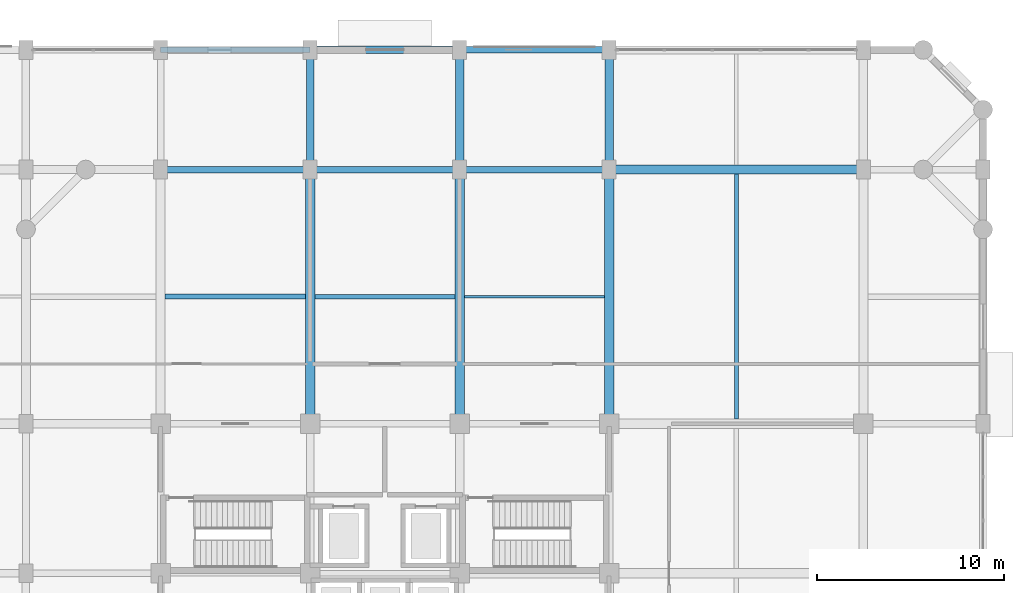
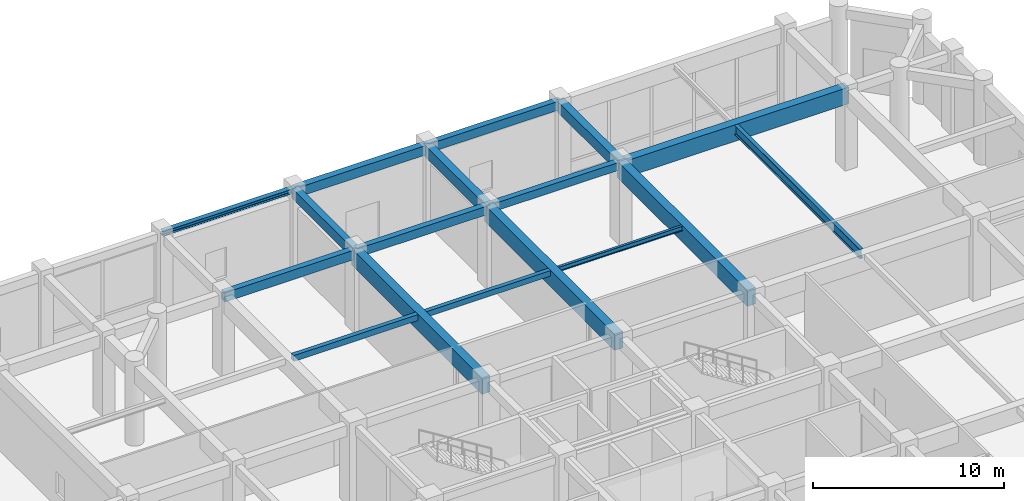
# One storey, part 18 of 40: 17 beams.
"""IFC4 building model written with IfcOpenShell, lengths in metres."""

import ifcopenshell
import ifcopenshell.guid

model = None  # the IFC model being written
_history = None  # IfcOwnerHistory: only IFC2X3 demands one
_inside = {}  # id of a spatial element -> (the spatial element, [elements in it])
_under = {}  # id of a project, library or spatial element -> (it, [spatial elements below it])
_declared = {}  # id of a project -> (the project, [libraries it declares])
_typed = {}  # id of a type object -> (the type object, [elements of that type])
_made_of = {}  # id of a material, layer set ... -> (it, [elements and type objects made of it])


def new_model(schema):
    """Start an empty IFC model of exactly this schema.

    Asked for "IFC4X3", IfcOpenShell would pick the latest addendum, in which some entities
    have other attributes; the version numbers below select the first issue.
    IFC2X3 requires an IfcOwnerHistory on every rooted entity: one is made here for all.
    """
    global model, _history
    if schema == "IFC4X3":
        model = ifcopenshell.file(schema_version=(4, 3, 0, 0))
    else:
        model = ifcopenshell.file(schema=schema)
    _inside.clear()
    _under.clear()
    _declared.clear()
    _typed.clear()
    _made_of.clear()
    _history = None
    if model.schema == "IFC2X3":
        org = make("IfcOrganization", Name="unknown")
        user = make(
            "IfcPersonAndOrganization",
            ThePerson=make("IfcPerson", FamilyName="unknown"),
            TheOrganization=org,
        )
        app = make(
            "IfcApplication",
            ApplicationDeveloper=org,
            Version="unknown",
            ApplicationFullName="unknown",
            ApplicationIdentifier="unknown",
        )
        _history = make(
            "IfcOwnerHistory",
            OwningUser=user,
            OwningApplication=app,
            ChangeAction="ADDED",
            CreationDate=0,
        )
    return model


def make(cls, **values):
    """One entity of the class cls with the attributes given. An attribute that is None is left unset."""
    return model.create_entity(
        cls, **{name: value for name, value in values.items() if value is not None}
    )


def rooted(cls, **values):
    """An entity with a GlobalId (a new one), such as an element, a storey or a relation."""
    return make(cls, GlobalId=ifcopenshell.guid.new(), OwnerHistory=_history, **values)


def si_unit(unit_type, name, prefix=None):
    """IfcSIUnit, for example si_unit("LENGTHUNIT", "METRE", prefix="MILLI")."""
    return make("IfcSIUnit", UnitType=unit_type, Prefix=prefix, Name=name)


def assignment(units):
    """IfcUnitAssignment: the units of a project."""
    return None if units is None else make("IfcUnitAssignment", Units=units)


def point(xyz):
    """IfcCartesianPoint."""
    return None if xyz is None else make("IfcCartesianPoint", Coordinates=xyz)


def direction(xyz):
    """IfcDirection."""
    return None if xyz is None else make("IfcDirection", DirectionRatios=xyz)


def frame(location, z_axis=None, x_axis=None):
    """IfcAxis2Placement3D, a coordinate frame: its origin and axes. An axis left out is left unset."""
    return make(
        "IfcAxis2Placement3D",
        Location=point(location),
        Axis=direction(z_axis),
        RefDirection=direction(x_axis),
    )


def frame_2d(location, x_axis=None):
    """IfcAxis2Placement2D, a coordinate frame in the plane: its origin and x axis."""
    return make(
        "IfcAxis2Placement2D", Location=point(location), RefDirection=direction(x_axis)
    )


def origin():
    """The frame at (0, 0, 0) with its axes left unset."""
    return frame((0.0, 0.0, 0.0))


def origin_2d():
    """The frame at (0, 0) in the plane with its x axis left unset."""
    return frame_2d((0.0, 0.0))


def place(relative_to, where):
    """IfcLocalPlacement: puts the frame where relative to a parent placement (None: the world)."""
    return make(
        "IfcLocalPlacement", PlacementRelTo=relative_to, RelativePlacement=where
    )


def context(
    kind, dimensions, precision=None, world=None, true_north=None, identifier=None
):
    """IfcGeometricRepresentationContext, for example the 3D "Model" context."""
    return make(
        "IfcGeometricRepresentationContext",
        ContextIdentifier=identifier,
        ContextType=kind,
        CoordinateSpaceDimension=dimensions,
        Precision=precision,
        WorldCoordinateSystem=world,
        TrueNorth=true_north,
    )


def subcontext(parent, identifier, kind, view, scale=None):
    """IfcGeometricRepresentationSubContext, for example "Body" below "Model"."""
    return make(
        "IfcGeometricRepresentationSubContext",
        ContextIdentifier=identifier,
        ContextType=kind,
        ParentContext=parent,
        TargetScale=scale,
        TargetView=view,
    )


def project(units=None, contexts=None):
    """IfcProject with its units and contexts."""
    return rooted(
        "IfcProject",
        Name="project",
        RepresentationContexts=contexts,
        UnitsInContext=assignment(units),
    )


def spatial(cls, under=None, at=None, **own):
    """A site, building, storey or space (cls), placed at a placement, below another one or the project."""
    s = rooted(cls, ObjectPlacement=at, **own)
    if under is not None:
        _under.setdefault(under.id(), (under, []))[1].append(s)
    return s


def profile(cls, at=None, kind="AREA", **sizes):
    """A parametric profile (cls). Its sizes go by their IFC names, for example OverallWidth=200.0."""
    return make(cls, ProfileType=kind, Position=at, **sizes)


def rectangle(**sizes):
    """IfcRectangleProfileDef."""
    return profile("IfcRectangleProfileDef", **sizes)


def i_section(**sizes):
    """IfcIShapeProfileDef."""
    return profile("IfcIShapeProfileDef", **sizes)


def extrude(swept, where, along, depth):
    """IfcExtrudedAreaSolid: the profile swept, set in the frame where, extruded along a direction by depth."""
    return make(
        "IfcExtrudedAreaSolid",
        SweptArea=swept,
        Position=where,
        ExtrudedDirection=direction(along),
        Depth=depth,
    )


def shape(context_of_items, identifier, shape_type, items):
    """IfcShapeRepresentation: the items that make up one representation, for example the "Body"."""
    return make(
        "IfcShapeRepresentation",
        ContextOfItems=context_of_items,
        RepresentationIdentifier=identifier,
        RepresentationType=shape_type,
        Items=items,
    )


def material(Name=None, Category=None):
    """IfcMaterial."""
    return make("IfcMaterial", Name=Name, Category=Category)


def material_profile(
    of_material, cross_section, Name=None, Category=None, Priority=None
):
    """IfcMaterialProfile: a cross section and its material."""
    return make(
        "IfcMaterialProfile",
        Name=Name,
        Material=of_material,
        Profile=cross_section,
        Priority=Priority,
        Category=Category,
    )


def profile_set(profiles, Name=None, composite=None):
    """IfcMaterialProfileSet."""
    return make(
        "IfcMaterialProfileSet",
        Name=Name,
        MaterialProfiles=profiles,
        CompositeProfile=composite,
    )


def made_of(thing, what):
    """Note that an element or type object is made of a material, layer set ...; save() writes the relation."""
    if what is not None:
        _made_of.setdefault(what.id(), (what, []))[1].append(thing)
    return thing


def type_object(cls, material=None, **own):
    """A type object (cls), such as IfcWallType, which elements share."""
    return made_of(rooted(cls, **own), material)


def element(
    cls,
    number,
    at=None,
    inside=None,
    cuts=None,
    type_object=None,
    material=None,
    context=None,
    identifier="Body",
    shape_type=None,
    held_by="IfcProductDefinitionShape",
    body=None,
    shapes=None,
    **own,
):
    """One element of the class cls, such as IfcWall. Its Tag is "e" and its number.

    at: its placement. inside: the storey or other place that contains it. cuts: it is an
    opening in that element (IfcRelVoidsElement). A single representation is given by context,
    identifier, shape_type and body (its items); several are given by shapes. held_by: the class
    of the entity that holds the representations. save() writes the other relations.
    """
    e = rooted(cls, Tag="e%d" % number, ObjectPlacement=at, **own)
    if body is not None:
        shapes = [shape(context, identifier, shape_type, body)]
    if shapes is not None:
        e.Representation = make(held_by, Representations=shapes)
    if inside is not None:
        _inside.setdefault(inside.id(), (inside, []))[1].append(e)
    if cuts is not None:
        rooted(
            "IfcRelVoidsElement", RelatingBuildingElement=cuts, RelatedOpeningElement=e
        )
    if type_object is not None:
        _typed.setdefault(type_object.id(), (type_object, []))[1].append(e)
    return made_of(e, material)


def aggregate(whole, parts):
    """IfcRelAggregates: a whole, such as a stair, and the parts it consists of."""
    return rooted("IfcRelAggregates", RelatingObject=whole, RelatedObjects=parts)


def save(model, path):
    """Write the relations noted so far, then the file.

    IfcRelAggregates (storeys below a building ...), IfcRelContainedInSpatialStructure (elements
    in a storey), IfcRelDefinesByType, IfcRelAssociatesMaterial and IfcRelDeclares: one each for
    every whole, place, type object, material and project.
    """
    for whole, parts in _under.values():
        aggregate(whole, parts)
    for where, things in _inside.values():
        rooted(
            "IfcRelContainedInSpatialStructure",
            RelatedElements=things,
            RelatingStructure=where,
        )
    for kind, things in _typed.values():
        rooted("IfcRelDefinesByType", RelatedObjects=things, RelatingType=kind)
    for what, things in _made_of.values():
        rooted("IfcRelAssociatesMaterial", RelatedObjects=things, RelatingMaterial=what)
    for by, libraries in _declared.values():
        rooted("IfcRelDeclares", RelatingContext=by, RelatedDefinitions=libraries)
    model.write(path)


model = new_model("IFC4")

# Units and contexts
model_context = context("Model", 3, precision=1e-05, world=origin(), true_north=direction((0.0, 1.0)))
body_context = subcontext(model_context, "Body", "Model", "MODEL_VIEW")
ifc_project = project(units=[si_unit("LENGTHUNIT", "METRE"), si_unit("AREAUNIT", "SQUARE_METRE"), si_unit("VOLUMEUNIT", "CUBIC_METRE"), si_unit("PLANEANGLEUNIT", "RADIAN"), si_unit("MASSUNIT", "GRAM", prefix="KILO")], contexts=[model_context])

# Site, building, storey
site_placement = place(None, origin())
site = spatial("IfcSite", under=ifc_project, at=site_placement, CompositionType="ELEMENT")
building_placement = place(site_placement, origin())
building = spatial("IfcBuilding", under=site, at=building_placement, Name="Vellmiral Cinema and Media Centre", CompositionType="ELEMENT")
storey_placement = place(building_placement, origin())
storey = spatial("IfcBuildingStorey", under=building, at=storey_placement, Name="L00", CompositionType="ELEMENT", Elevation=0.0)

# Beams
ifc_material_1 = material(Name="Concrete C40/50", Category="concrete")
ifc_material_profile_1 = material_profile(ifc_material_1, rectangle(XDim=0.35009765625, YDim=0.5, at=origin_2d()), Name="RC 350x500")
ifc_profile_set_1 = profile_set([ifc_material_profile_1], Name="Concrete C40/50")
beam_type_1 = type_object("IfcBeamType", Name="BM-RC-350x500", PredefinedType="BEAM", material=ifc_profile_set_1)
beam_1_placement = place(storey_placement, frame((140.0, 108.800048828125, 4.824951171875), z_axis=(1.0, 0.0, 0.0), x_axis=(0.0, 1.0, 0.0)))
element("IfcBeam", 1, at=beam_1_placement, inside=storey, type_object=beam_type_1, Name="Grid Beam L00-X179", PredefinedType="BEAM", context=body_context, shape_type="SweptSolid", body=[
    extrude(rectangle(XDim=0.35009765625, YDim=0.5, at=origin_2d()), origin(), (0.0, 0.0, 1.0), 8.0),
])
ifc_material_2 = material(Name="Concrete C40/50", Category="concrete")
ifc_material_profile_2 = material_profile(ifc_material_2, rectangle(XDim=0.35009765625, YDim=0.550048828125, at=origin_2d()), Name="RC 350x550")
ifc_profile_set_2 = profile_set([ifc_material_profile_2], Name="Concrete C40/50")
beam_type_2 = type_object("IfcBeamType", Name="BM-RC-350x550", PredefinedType="BEAM", material=ifc_profile_set_2)
beam_2_placement = place(storey_placement, frame((132.0, 108.800048828125, 4.800048828125), z_axis=(1.0, 0.0, 0.0), x_axis=(0.0, 1.0, 0.0)))
element("IfcBeam", 2, at=beam_2_placement, inside=storey, type_object=beam_type_2, Name="Grid Beam L00-X178", PredefinedType="BEAM", context=body_context, shape_type="SweptSolid", body=[
    extrude(rectangle(XDim=0.35009765625, YDim=0.550048828125, at=origin_2d()), origin(), (0.0, 0.0, 1.0), 8.0),
])
ifc_material_3 = material(Name="Concrete C40/50", Category="concrete")
ifc_material_profile_3 = material_profile(ifc_material_3, rectangle(XDim=0.35009765625, YDim=0.60009765625, at=origin_2d()), Name="RC 350x600")
ifc_profile_set_3 = profile_set([ifc_material_profile_3], Name="Concrete C40/50")
beam_type_3 = type_object("IfcBeamType", Name="BM-RC-350x600", PredefinedType="BEAM", material=ifc_profile_set_3)
beam_3_placement = place(storey_placement, frame((124.0, 108.800048828125, 4.77490234375), z_axis=(1.0, 0.0, 0.0), x_axis=(0.0, 1.0, 0.0)))
element("IfcBeam", 3, at=beam_3_placement, inside=storey, type_object=beam_type_3, Name="Grid Beam L00-X177", PredefinedType="BEAM", context=body_context, shape_type="SweptSolid", body=[
    extrude(rectangle(XDim=0.35009765625, YDim=0.60009765625, at=origin_2d()), origin(), (0.0, 0.0, 1.0), 8.0),
])
ifc_material_4 = material(Name="Concrete C40/50", Category="concrete")
ifc_material_profile_4 = material_profile(ifc_material_4, rectangle(XDim=0.39990234375, YDim=0.64990234375, at=origin_2d()), Name="RC 400x650")
ifc_profile_set_4 = profile_set([ifc_material_profile_4], Name="Concrete C40/50")
beam_type_4 = type_object("IfcBeamType", Name="BM-RC-400x650", PredefinedType="BEAM", material=ifc_profile_set_4)
beam_4_placement = place(storey_placement, frame((132.0, 108.800048828125, 4.75), z_axis=(0.0, 1.0, 0.0), x_axis=(-1.0, 0.0, 0.0)))
element("IfcBeam", 4, at=beam_4_placement, inside=storey, type_object=beam_type_4, Name="Grid Beam L00-Y332", PredefinedType="BEAM", context=body_context, shape_type="SweptSolid", body=[
    extrude(rectangle(XDim=0.39990234375, YDim=0.64990234375, at=origin_2d()), origin(), (0.0, 0.0, 1.0), 6.39990234375),
])
ifc_material_5 = material(Name="Concrete C40/50", Category="concrete")
ifc_material_profile_5 = material_profile(ifc_material_5, rectangle(XDim=0.449951171875, YDim=0.699951171875, at=origin_2d()), Name="RC 450x700")
ifc_profile_set_5 = profile_set([ifc_material_profile_5], Name="Concrete C40/50")
beam_type_5 = type_object("IfcBeamType", Name="BM-RC-450x700", PredefinedType="BEAM", material=ifc_profile_set_5)
beam_5_placement = place(storey_placement, frame((148.0, 108.800048828125, 4.72509765625), z_axis=(0.0, 1.0, 0.0), x_axis=(-1.0, 0.0, 0.0)))
element("IfcBeam", 5, at=beam_5_placement, inside=storey, type_object=beam_type_5, Name="Grid Beam L00-Y353", PredefinedType="BEAM", context=body_context, shape_type="SweptSolid", body=[
    extrude(rectangle(XDim=0.449951171875, YDim=0.699951171875, at=origin_2d()), origin(), (0.0, 0.0, 1.0), 6.39990234375),
])
ifc_material_6 = material(Name="Concrete C40/50", Category="concrete")
ifc_material_profile_6 = material_profile(ifc_material_6, rectangle(XDim=0.449951171875, YDim=0.75, at=origin_2d()), Name="RC 450x750")
ifc_profile_set_6 = profile_set([ifc_material_profile_6], Name="Concrete C40/50")
beam_type_6 = type_object("IfcBeamType", Name="BM-RC-450x750", PredefinedType="BEAM", material=ifc_profile_set_6)
beam_6_placement = place(storey_placement, frame((140.0, 108.800048828125, 4.699951171875), z_axis=(0.0, 1.0, 0.0), x_axis=(-1.0, 0.0, 0.0)))
element("IfcBeam", 6, at=beam_6_placement, inside=storey, type_object=beam_type_6, Name="Grid Beam L00-Y341", PredefinedType="BEAM", context=body_context, shape_type="SweptSolid", body=[
    extrude(rectangle(XDim=0.449951171875, YDim=0.75, at=origin_2d()), origin(), (0.0, 0.0, 1.0), 6.39990234375),
])
ifc_material_7 = material(Name="Concrete C40/50", Category="concrete")
ifc_material_profile_7 = material_profile(ifc_material_7, rectangle(XDim=0.5, YDim=1.050048828125, at=origin_2d()), Name="RC 500x1050")
ifc_profile_set_7 = profile_set([ifc_material_profile_7], Name="Concrete C40/50")
beam_type_7 = type_object("IfcBeamType", Name="BM-RCG-500x1050", PredefinedType="BEAM", material=ifc_profile_set_7)
for number, where, z_axis, x_axis, name in (
    (7, (148.0, 108.800048828125, 4.550048828125), (1.0, 0.0, 0.0), (0.0, 1.0, 0.0), "Grid Beam L00-X180"),
    (8, (132.0, 95.199951171875, 4.550048828125), (0.0, 1.0, 0.0), (-1.0, 0.0, 0.0), "Grid Beam L00-Y331"),
    (9, (140.0, 95.199951171875, 4.550048828125), (0.0, 1.0, 0.0), (-1.0, 0.0, 0.0), "Grid Beam L00-Y340"),
    (10, (148.0, 95.199951171875, 4.550048828125), (0.0, 1.0, 0.0), (-1.0, 0.0, 0.0), "Grid Beam L00-Y352"),
):
    element("IfcBeam", number, at=place(storey_placement, frame(where, z_axis=z_axis, x_axis=x_axis)), inside=storey, type_object=beam_type_7, Name=name, PredefinedType="BEAM", context=body_context, shape_type="SweptSolid", body=[
        extrude(rectangle(XDim=0.5, YDim=1.050048828125, at=origin_2d()), origin(), (0.0, 0.0, 1.0), 13.60009765625),
    ])
ifc_material_8 = material(Name="Concrete C40/50", Category="concrete")
ifc_material_profile_8 = material_profile(ifc_material_8, rectangle(XDim=0.25, YDim=0.35009765625, at=origin_2d()), Name="RC 250x350")
ifc_profile_set_8 = profile_set([ifc_material_profile_8], Name="Concrete C40/50")
beam_type_8 = type_object("IfcBeamType", Name="JST-RC-250x350", PredefinedType="JOIST", material=ifc_profile_set_8)
beam_7_placement = place(storey_placement, frame((132.25, 102.0, 4.89990234375), z_axis=(1.0, 0.0, 0.0), x_axis=(0.0, 1.0, 0.0)))
element("IfcBeam", 11, at=beam_7_placement, inside=storey, type_object=beam_type_8, Name="Secondary Floor Joist L00-027", PredefinedType="JOIST", context=body_context, shape_type="SweptSolid", body=[
    extrude(rectangle(XDim=0.25, YDim=0.35009765625, at=origin_2d()), origin(), (0.0, 0.0, 1.0), 7.5),
])
ifc_material_9 = material(Name="Concrete C40/50", Category="concrete")
ifc_material_profile_9 = material_profile(ifc_material_9, rectangle(XDim=0.260009765625, YDim=0.3798828125, at=origin_2d()), Name="RC 260x380")
ifc_profile_set_9 = profile_set([ifc_material_profile_9], Name="Concrete C40/50")
beam_type_9 = type_object("IfcBeamType", Name="JST-RC-260x380", PredefinedType="JOIST", material=ifc_profile_set_9)
beam_8_placement = place(storey_placement, frame((124.25, 102.0, 4.885009765625), z_axis=(1.0, 0.0, 0.0), x_axis=(0.0, 1.0, 0.0)))
element("IfcBeam", 12, at=beam_8_placement, inside=storey, type_object=beam_type_9, Name="Secondary Floor Joist L00-026", PredefinedType="JOIST", context=body_context, shape_type="SweptSolid", body=[
    extrude(rectangle(XDim=0.260009765625, YDim=0.3798828125, at=origin_2d()), origin(), (0.0, 0.0, 1.0), 7.5),
])
ifc_material_10 = material(Name="Steel S355", Category="steel")
ifc_material_profile_10 = material_profile(ifc_material_10, i_section(OverallWidth=0.300048828125, OverallDepth=0.300048828125, WebThickness=0.010986328125, FlangeThickness=0.01904296875, FilletRadius=0.027099609375, at=origin_2d()), Name="HEB 300")
ifc_profile_set_10 = profile_set([ifc_material_profile_10], Name="Steel S355")
beam_type_10 = type_object("IfcBeamType", Name="SBM-HEB300", PredefinedType="SPANDREL", material=ifc_profile_set_10)
beam_9_placement = place(storey_placement, frame((124.0, 115.199951171875, 4.925048828125), z_axis=(1.0, 0.0, 0.0), x_axis=(0.0, 1.0, 0.0)))
element("IfcBeam", 13, at=beam_9_placement, inside=storey, type_object=beam_type_10, Name="Grid Beam L00-X184", PredefinedType="SPANDREL", context=body_context, shape_type="SweptSolid", body=[
    extrude(i_section(OverallWidth=0.300048828125, OverallDepth=0.300048828125, WebThickness=0.010986328125, FlangeThickness=0.01904296875, FilletRadius=0.027099609375, at=origin_2d()), origin(), (0.0, 0.0, 1.0), 8.0),
])
ifc_material_11 = material(Name="Steel S355", Category="steel")
ifc_material_profile_11 = material_profile(ifc_material_11, i_section(OverallWidth=0.14990234375, OverallDepth=0.300048828125, WebThickness=0.007080078125, FlangeThickness=0.0107421875, FilletRadius=0.014892578125, at=origin_2d()), Name="IPE 300")
ifc_profile_set_11 = profile_set([ifc_material_profile_11], Name="Steel S355")
beam_type_11 = type_object("IfcBeamType", Name="SBM-IPE300", PredefinedType="JOIST", material=ifc_profile_set_11)
beam_10_placement = place(storey_placement, frame((140.25, 102.0, 4.925048828125), z_axis=(1.0, 0.0, 0.0), x_axis=(0.0, 1.0, 0.0)))
element("IfcBeam", 14, at=beam_10_placement, inside=storey, type_object=beam_type_11, Name="Secondary Floor Joist L00-028", PredefinedType="JOIST", context=body_context, shape_type="SweptSolid", body=[
    extrude(i_section(OverallWidth=0.14990234375, OverallDepth=0.300048828125, WebThickness=0.007080078125, FlangeThickness=0.0107421875, FilletRadius=0.014892578125, at=origin_2d()), origin(), (0.0, 0.0, 1.0), 7.5),
])
ifc_material_12 = material(Name="Steel S355", Category="steel")
ifc_material_profile_12 = material_profile(ifc_material_12, i_section(OverallWidth=0.219970703125, OverallDepth=0.60009765625, WebThickness=0.011962890625, FlangeThickness=0.01904296875, FilletRadius=0.02392578125, at=origin_2d()), Name="IPE 600")
ifc_profile_set_12 = profile_set([ifc_material_profile_12], Name="Steel S355")
beam_type_12 = type_object("IfcBeamType", Name="SBM-IPE600", PredefinedType="JOIST", material=ifc_profile_set_12)
beam_11_placement = place(storey_placement, frame((154.800048828125, 95.449951171875, 4.77490234375), z_axis=(0.0, 1.0, 0.0), x_axis=(-1.0, 0.0, 0.0)))
element("IfcBeam", 15, at=beam_11_placement, inside=storey, type_object=beam_type_12, Name="Secondary Floor Joist L00-034", PredefinedType="JOIST", context=body_context, shape_type="SweptSolid", body=[
    extrude(i_section(OverallWidth=0.219970703125, OverallDepth=0.60009765625, WebThickness=0.011962890625, FlangeThickness=0.01904296875, FilletRadius=0.02392578125, at=origin_2d()), origin(), (0.0, 0.0, 1.0), 13.10009765625),
])
ifc_material_13 = material(Name="Concrete C40/50", Category="concrete")
ifc_material_profile_13 = material_profile(ifc_material_13, rectangle(XDim=0.35009765625, YDim=0.56005859375, at=origin_2d()), Name="RC 350x560")
ifc_profile_set_13 = profile_set([ifc_material_profile_13], Name="Concrete C40/50")
beam_type_13 = type_object("IfcBeamType", Name="SPD-RC-350x560", PredefinedType="SPANDREL", material=ifc_profile_set_13)
beam_12_placement = place(storey_placement, frame((140.0, 115.199951171875, 4.794921875), z_axis=(1.0, 0.0, 0.0), x_axis=(0.0, 1.0, 0.0)))
element("IfcBeam", 16, at=beam_12_placement, inside=storey, type_object=beam_type_13, Name="Grid Beam L00-X186", PredefinedType="SPANDREL", context=body_context, shape_type="SweptSolid", body=[
    extrude(rectangle(XDim=0.35009765625, YDim=0.56005859375, at=origin_2d()), origin(), (0.0, 0.0, 1.0), 8.0),
])
ifc_material_14 = material(Name="Concrete C40/50", Category="concrete")
ifc_material_profile_14 = material_profile(ifc_material_14, rectangle(XDim=0.39990234375, YDim=0.60009765625, at=origin_2d()), Name="RC 400x600")
ifc_profile_set_14 = profile_set([ifc_material_profile_14], Name="Concrete C40/50")
beam_type_14 = type_object("IfcBeamType", Name="SPD-RC-400x600", PredefinedType="SPANDREL", material=ifc_profile_set_14)
beam_13_placement = place(storey_placement, frame((132.0, 115.199951171875, 4.77490234375), z_axis=(1.0, 0.0, 0.0), x_axis=(0.0, 1.0, 0.0)))
element("IfcBeam", 17, at=beam_13_placement, inside=storey, type_object=beam_type_14, Name="Grid Beam L00-X185", PredefinedType="SPANDREL", context=body_context, shape_type="SweptSolid", body=[
    extrude(rectangle(XDim=0.39990234375, YDim=0.60009765625, at=origin_2d()), origin(), (0.0, 0.0, 1.0), 8.0),
])

save(model, "model.ifc")
